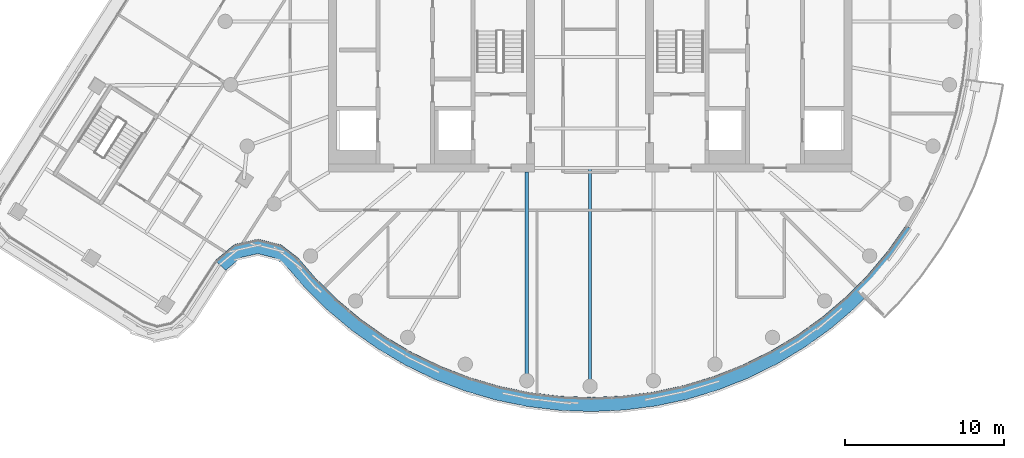
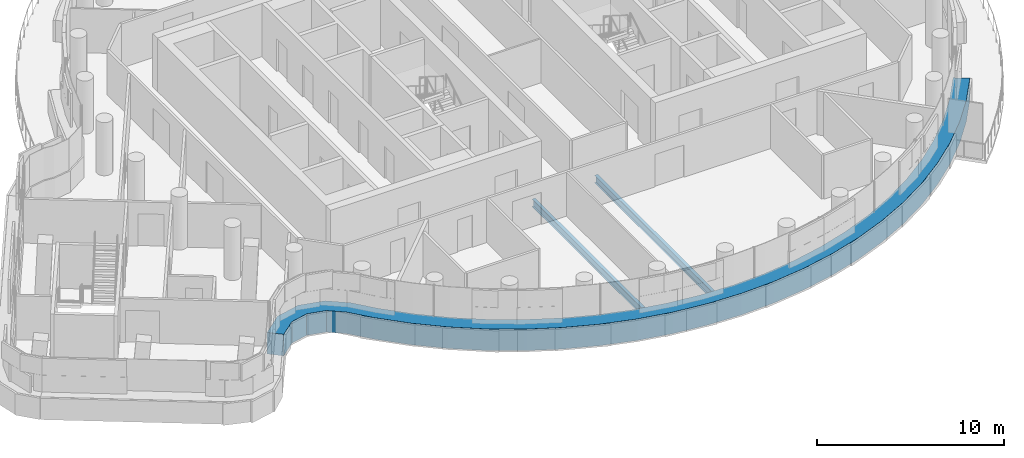
# One storey, part 6 of 27: 2 beams, 1 member, 1 element without a shape of its own.
"""IFC4 building model written with IfcOpenShell, lengths in metres."""

from ifc_helpers import new_model, si_unit, direction, frame, origin, origin_2d, place, context, subcontext, project, spatial, polyline, i_section, outline, extrude, material, layer, layer_set, material_profile, profile_set, type_object, element, aggregate, save


model = new_model("IFC4")

# Units and contexts
model_context = context("Model", 3, precision=1e-05, world=origin(), true_north=direction((0.0, 1.0)))
body_context = subcontext(model_context, "Body", "Model", "MODEL_VIEW")
ifc_project = project(units=[si_unit("LENGTHUNIT", "METRE"), si_unit("AREAUNIT", "SQUARE_METRE"), si_unit("VOLUMEUNIT", "CUBIC_METRE"), si_unit("PLANEANGLEUNIT", "RADIAN"), si_unit("MASSUNIT", "GRAM", prefix="KILO")], contexts=[model_context])

# Site, building, storey
site_placement = place(None, origin())
site = spatial("IfcSite", under=ifc_project, at=site_placement, CompositionType="ELEMENT")
building_placement = place(site_placement, origin())
building = spatial("IfcBuilding", under=site, at=building_placement, Name="Tamarind Cross Interchange Tower", CompositionType="ELEMENT")
storey_placement = place(building_placement, frame((0.0, 0.0, 241.5)))
storey = spatial("IfcBuildingStorey", under=building, at=storey_placement, Name="L61", CompositionType="ELEMENT", Elevation=241.5)

# Beams
ifc_material_1 = material(Name="Steel Q355B", Category="steel")
ifc_material_profile = material_profile(ifc_material_1, i_section(OverallWidth=0.198974609375, OverallDepth=0.49609375, WebThickness=0.009033203125, FlangeThickness=0.013916015625, FilletRadius=0.012939453125, at=origin_2d()), Name="HN 496x199x9x14")
ifc_profile_set = profile_set([ifc_material_profile], Name="Steel Q355B")
beam_type = type_object("IfcBeamType", Name="Composite beam HN 496x199x9x14 Q355B", PredefinedType="BEAM", material=ifc_profile_set)
beam_1_placement = place(storey_placement, frame((-3.993896484375, -22.650634765625, -0.387939453125), z_axis=(0.0, 1.0, 0.0), x_axis=(-1.0, 0.0, 0.0)))
element("IfcBeam", 1, at=beam_1_placement, inside=storey, type_object=beam_type, Name="Beam HH26", PredefinedType="BEAM", context=body_context, shape_type="SweptSolid", body=[
    extrude(i_section(OverallWidth=0.198974609375, OverallDepth=0.49609375, WebThickness=0.009033203125, FlangeThickness=0.013916015625, FilletRadius=0.012939453125, at=origin_2d()), origin(), (0.0, 0.0, 1.0), 13.150634765625),
])
beam_2_placement = place(storey_placement, frame((0.0, -23.0, -0.387939453125), z_axis=(0.0, 1.0, 0.0), x_axis=(-1.0, 0.0, 0.0)))
element("IfcBeam", 2, at=beam_2_placement, inside=storey, type_object=beam_type, Name="Beam HH27", PredefinedType="BEAM", context=body_context, shape_type="SweptSolid", body=[
    extrude(i_section(OverallWidth=0.198974609375, OverallDepth=0.49609375, WebThickness=0.009033203125, FlangeThickness=0.013916015625, FilletRadius=0.012939453125, at=origin_2d()), origin(), (0.0, 0.0, 1.0), 13.75),
])

# Curtain wall, member
ifc_material_2 = material(Name="Aluminium 6063-T6", Category="aluminium")
ifc_layer = layer(ifc_material_2, 0.139892578125)
ifc_layer_set = layer_set([ifc_layer], Name="Aluminium 6063-T6")
curtain_wall_type = type_object("IfcCurtainWallType", Name="Hotel curtain wall, 4.5 m bays", PredefinedType="NOTDEFINED", material=ifc_layer_set)
curtain_wall_placement = place(storey_placement, origin())
curtain_wall = element("IfcCurtainWall", 3, at=curtain_wall_placement, inside=storey, type_object=curtain_wall_type, Name="CWS-L61-02", PredefinedType="NOTDEFINED")
ifc_material_3 = material(Name="Aluminium and insulated spandrel panel", Category="aluminium")
member_type = type_object("IfcMemberType", Name="Floor-edge blade transom", PredefinedType="USERDEFINED", material=ifc_material_3)
member_placement = place(storey_placement, origin())
member = element("IfcMember", 4, at=member_placement, type_object=member_type, Name="CWT-L61-02-0", ObjectType="TRANSOM", PredefinedType="USERDEFINED", context=body_context, shape_type="SweptSolid", body=[
    extrude(outline(polyline([(-23.644775390625, -15.086669921875), (-22.415283203125, -14.055908203125), (-20.939697265625, -13.719970703125), (-19.480712890625, -14.0830078125), (-18.39990234375, -14.9140625), (-17.364501953125, -16.12353515625), (-15.973388671875, -17.50244140625), (-14.4736328125, -18.76171875), (-12.874755859375, -19.892822265625), (-11.188232421875, -20.88818359375), (-9.425048828125, -21.74072265625), (-7.597412109375, -22.444580078125), (-5.718017578125, -22.995361328125), (-3.799560546875, -23.38916015625), (-1.855224609375, -23.623046875), (0.10205078125, -23.695556640625), (2.058349609375, -23.606201171875), (4.000732421875, -23.35546875), (5.915771484375, -22.9453125), (7.790283203125, -22.37841796875), (9.61181640625, -21.65869140625), (11.367431640625, -20.791015625), (13.045654296875, -19.78125), (14.634521484375, -18.636474609375), (16.12353515625, -17.3642578125), (17.50244140625, -15.973388671875), (18.76171875, -14.4736328125), (19.892822265625, -12.874755859375), (19.900146484375, -12.862548828125), (20.656494140625, -13.3515625), (20.64892578125, -13.3642578125), (19.474853515625, -15.023681640625), (18.167724609375, -16.580810546875), (16.736572265625, -18.0244140625), (15.19091796875, -19.344970703125), (13.54150390625, -20.533203125), (11.799560546875, -21.581298828125), (9.97705078125, -22.482177734375), (8.08642578125, -23.229248046875), (6.140625, -23.817626953125), (4.15283203125, -24.243408203125), (2.13671875, -24.50341796875), (0.10595703125, -24.59619140625), (-1.925537109375, -24.52099609375), (-3.944091796875, -24.2783203125), (-5.935302734375, -23.86962890625), (-7.88623046875, -23.2978515625), (-9.783203125, -22.567138671875), (-11.613525390625, -21.68212890625), (-13.3642578125, -20.64892578125), (-15.023681640625, -19.474853515625), (-16.580810546875, -18.167724609375), (-18.024169921875, -16.736572265625), (-19.022705078125, -15.570556640625), (-19.88037109375, -14.910888671875), (-20.948974609375, -14.64501953125), (-22.003662109375, -14.885009765625), (-22.962890625, -15.689453125), (-23.644775390625, -15.086669921875)])), origin(), (0.0, 0.0, 1.0), 1.39990234375),
])
aggregate(curtain_wall, [member])

save(model, "model.ifc")
